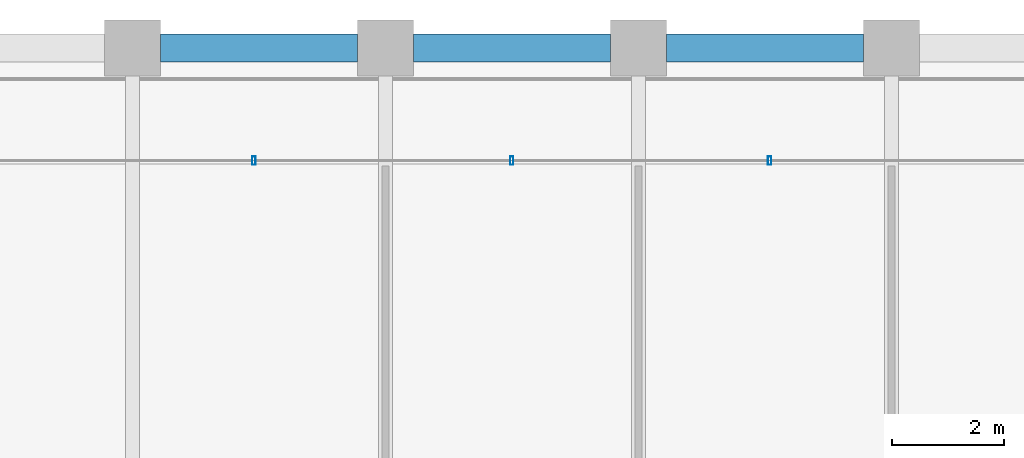
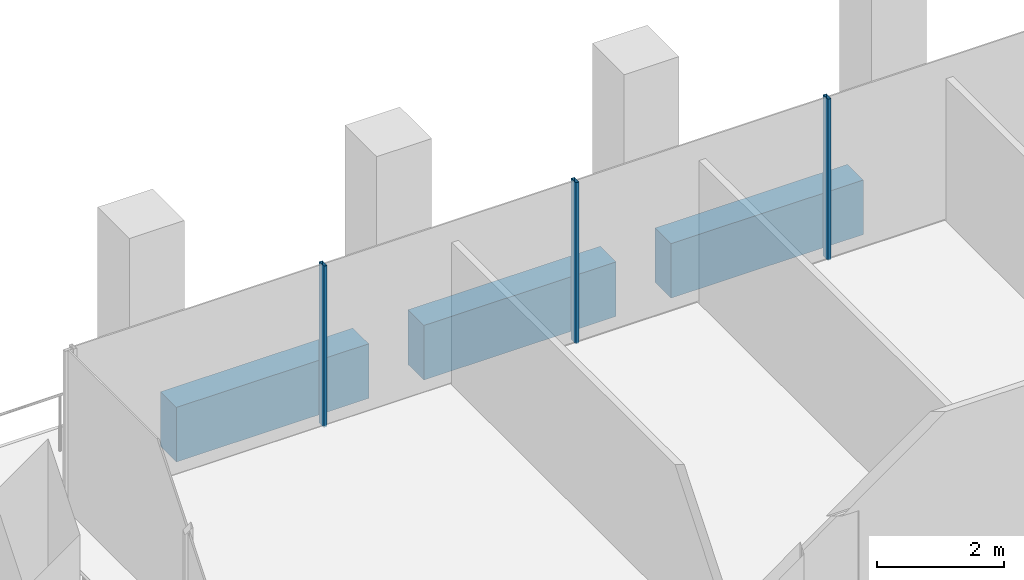
# One storey, part 23 of 46: 3 beams, 3 members, 1 element without a shape of its own.
"""IFC4 building model written with IfcOpenShell, lengths in metres."""

import ifcopenshell
import ifcopenshell.guid

model = None  # the IFC model being written
_history = None  # IfcOwnerHistory: only IFC2X3 demands one
_inside = {}  # id of a spatial element -> (the spatial element, [elements in it])
_under = {}  # id of a project, library or spatial element -> (it, [spatial elements below it])
_declared = {}  # id of a project -> (the project, [libraries it declares])
_typed = {}  # id of a type object -> (the type object, [elements of that type])
_made_of = {}  # id of a material, layer set ... -> (it, [elements and type objects made of it])


def new_model(schema):
    """Start an empty IFC model of exactly this schema.

    Asked for "IFC4X3", IfcOpenShell would pick the latest addendum, in which some entities
    have other attributes; the version numbers below select the first issue.
    IFC2X3 requires an IfcOwnerHistory on every rooted entity: one is made here for all.
    """
    global model, _history
    if schema == "IFC4X3":
        model = ifcopenshell.file(schema_version=(4, 3, 0, 0))
    else:
        model = ifcopenshell.file(schema=schema)
    _inside.clear()
    _under.clear()
    _declared.clear()
    _typed.clear()
    _made_of.clear()
    _history = None
    if model.schema == "IFC2X3":
        org = make("IfcOrganization", Name="unknown")
        user = make(
            "IfcPersonAndOrganization",
            ThePerson=make("IfcPerson", FamilyName="unknown"),
            TheOrganization=org,
        )
        app = make(
            "IfcApplication",
            ApplicationDeveloper=org,
            Version="unknown",
            ApplicationFullName="unknown",
            ApplicationIdentifier="unknown",
        )
        _history = make(
            "IfcOwnerHistory",
            OwningUser=user,
            OwningApplication=app,
            ChangeAction="ADDED",
            CreationDate=0,
        )
    return model


def make(cls, **values):
    """One entity of the class cls with the attributes given. An attribute that is None is left unset."""
    return model.create_entity(
        cls, **{name: value for name, value in values.items() if value is not None}
    )


def rooted(cls, **values):
    """An entity with a GlobalId (a new one), such as an element, a storey or a relation."""
    return make(cls, GlobalId=ifcopenshell.guid.new(), OwnerHistory=_history, **values)


def si_unit(unit_type, name, prefix=None):
    """IfcSIUnit, for example si_unit("LENGTHUNIT", "METRE", prefix="MILLI")."""
    return make("IfcSIUnit", UnitType=unit_type, Prefix=prefix, Name=name)


def assignment(units):
    """IfcUnitAssignment: the units of a project."""
    return None if units is None else make("IfcUnitAssignment", Units=units)


def point(xyz):
    """IfcCartesianPoint."""
    return None if xyz is None else make("IfcCartesianPoint", Coordinates=xyz)


def direction(xyz):
    """IfcDirection."""
    return None if xyz is None else make("IfcDirection", DirectionRatios=xyz)


def frame(location, z_axis=None, x_axis=None):
    """IfcAxis2Placement3D, a coordinate frame: its origin and axes. An axis left out is left unset."""
    return make(
        "IfcAxis2Placement3D",
        Location=point(location),
        Axis=direction(z_axis),
        RefDirection=direction(x_axis),
    )


def frame_2d(location, x_axis=None):
    """IfcAxis2Placement2D, a coordinate frame in the plane: its origin and x axis."""
    return make(
        "IfcAxis2Placement2D", Location=point(location), RefDirection=direction(x_axis)
    )


def origin():
    """The frame at (0, 0, 0) with its axes left unset."""
    return frame((0.0, 0.0, 0.0))


def origin_2d():
    """The frame at (0, 0) in the plane with its x axis left unset."""
    return frame_2d((0.0, 0.0))


def place(relative_to, where):
    """IfcLocalPlacement: puts the frame where relative to a parent placement (None: the world)."""
    return make(
        "IfcLocalPlacement", PlacementRelTo=relative_to, RelativePlacement=where
    )


def context(
    kind, dimensions, precision=None, world=None, true_north=None, identifier=None
):
    """IfcGeometricRepresentationContext, for example the 3D "Model" context."""
    return make(
        "IfcGeometricRepresentationContext",
        ContextIdentifier=identifier,
        ContextType=kind,
        CoordinateSpaceDimension=dimensions,
        Precision=precision,
        WorldCoordinateSystem=world,
        TrueNorth=true_north,
    )


def subcontext(parent, identifier, kind, view, scale=None):
    """IfcGeometricRepresentationSubContext, for example "Body" below "Model"."""
    return make(
        "IfcGeometricRepresentationSubContext",
        ContextIdentifier=identifier,
        ContextType=kind,
        ParentContext=parent,
        TargetScale=scale,
        TargetView=view,
    )


def project(units=None, contexts=None):
    """IfcProject with its units and contexts."""
    return rooted(
        "IfcProject",
        Name="project",
        RepresentationContexts=contexts,
        UnitsInContext=assignment(units),
    )


def spatial(cls, under=None, at=None, **own):
    """A site, building, storey or space (cls), placed at a placement, below another one or the project."""
    s = rooted(cls, ObjectPlacement=at, **own)
    if under is not None:
        _under.setdefault(under.id(), (under, []))[1].append(s)
    return s


def profile(cls, at=None, kind="AREA", **sizes):
    """A parametric profile (cls). Its sizes go by their IFC names, for example OverallWidth=200.0."""
    return make(cls, ProfileType=kind, Position=at, **sizes)


def rectangle(**sizes):
    """IfcRectangleProfileDef."""
    return profile("IfcRectangleProfileDef", **sizes)


def hollow_rectangle(**sizes):
    """IfcRectangleHollowProfileDef."""
    return profile("IfcRectangleHollowProfileDef", **sizes)


def extrude(swept, where, along, depth):
    """IfcExtrudedAreaSolid: the profile swept, set in the frame where, extruded along a direction by depth."""
    return make(
        "IfcExtrudedAreaSolid",
        SweptArea=swept,
        Position=where,
        ExtrudedDirection=direction(along),
        Depth=depth,
    )


def shape(context_of_items, identifier, shape_type, items):
    """IfcShapeRepresentation: the items that make up one representation, for example the "Body"."""
    return make(
        "IfcShapeRepresentation",
        ContextOfItems=context_of_items,
        RepresentationIdentifier=identifier,
        RepresentationType=shape_type,
        Items=items,
    )


def material(Name=None, Category=None):
    """IfcMaterial."""
    return make("IfcMaterial", Name=Name, Category=Category)


def material_profile(
    of_material, cross_section, Name=None, Category=None, Priority=None
):
    """IfcMaterialProfile: a cross section and its material."""
    return make(
        "IfcMaterialProfile",
        Name=Name,
        Material=of_material,
        Profile=cross_section,
        Priority=Priority,
        Category=Category,
    )


def profile_set(profiles, Name=None, composite=None):
    """IfcMaterialProfileSet."""
    return make(
        "IfcMaterialProfileSet",
        Name=Name,
        MaterialProfiles=profiles,
        CompositeProfile=composite,
    )


def made_of(thing, what):
    """Note that an element or type object is made of a material, layer set ...; save() writes the relation."""
    if what is not None:
        _made_of.setdefault(what.id(), (what, []))[1].append(thing)
    return thing


def type_object(cls, material=None, **own):
    """A type object (cls), such as IfcWallType, which elements share."""
    return made_of(rooted(cls, **own), material)


def element(
    cls,
    number,
    at=None,
    inside=None,
    cuts=None,
    type_object=None,
    material=None,
    context=None,
    identifier="Body",
    shape_type=None,
    held_by="IfcProductDefinitionShape",
    body=None,
    shapes=None,
    **own,
):
    """One element of the class cls, such as IfcWall. Its Tag is "e" and its number.

    at: its placement. inside: the storey or other place that contains it. cuts: it is an
    opening in that element (IfcRelVoidsElement). A single representation is given by context,
    identifier, shape_type and body (its items); several are given by shapes. held_by: the class
    of the entity that holds the representations. save() writes the other relations.
    """
    e = rooted(cls, Tag="e%d" % number, ObjectPlacement=at, **own)
    if body is not None:
        shapes = [shape(context, identifier, shape_type, body)]
    if shapes is not None:
        e.Representation = make(held_by, Representations=shapes)
    if inside is not None:
        _inside.setdefault(inside.id(), (inside, []))[1].append(e)
    if cuts is not None:
        rooted(
            "IfcRelVoidsElement", RelatingBuildingElement=cuts, RelatedOpeningElement=e
        )
    if type_object is not None:
        _typed.setdefault(type_object.id(), (type_object, []))[1].append(e)
    return made_of(e, material)


def aggregate(whole, parts):
    """IfcRelAggregates: a whole, such as a stair, and the parts it consists of."""
    return rooted("IfcRelAggregates", RelatingObject=whole, RelatedObjects=parts)


def save(model, path):
    """Write the relations noted so far, then the file.

    IfcRelAggregates (storeys below a building ...), IfcRelContainedInSpatialStructure (elements
    in a storey), IfcRelDefinesByType, IfcRelAssociatesMaterial and IfcRelDeclares: one each for
    every whole, place, type object, material and project.
    """
    for whole, parts in _under.values():
        aggregate(whole, parts)
    for where, things in _inside.values():
        rooted(
            "IfcRelContainedInSpatialStructure",
            RelatedElements=things,
            RelatingStructure=where,
        )
    for kind, things in _typed.values():
        rooted("IfcRelDefinesByType", RelatedObjects=things, RelatingType=kind)
    for what, things in _made_of.values():
        rooted("IfcRelAssociatesMaterial", RelatedObjects=things, RelatingMaterial=what)
    for by, libraries in _declared.values():
        rooted("IfcRelDeclares", RelatingContext=by, RelatedDefinitions=libraries)
    model.write(path)


model = new_model("IFC4")

# Units and contexts
model_context = context("Model", 3, precision=1e-05, world=origin(), true_north=direction((0.0, 1.0)))
body_context = subcontext(model_context, "Body", "Model", "MODEL_VIEW")
ifc_project = project(units=[si_unit("LENGTHUNIT", "METRE"), si_unit("AREAUNIT", "SQUARE_METRE"), si_unit("VOLUMEUNIT", "CUBIC_METRE"), si_unit("PLANEANGLEUNIT", "RADIAN"), si_unit("MASSUNIT", "GRAM", prefix="KILO")], contexts=[model_context])

# Site, building, storey
site_placement = place(None, origin())
site = spatial("IfcSite", under=ifc_project, at=site_placement, CompositionType="ELEMENT")
building_placement = place(site_placement, origin())
building = spatial("IfcBuilding", under=site, at=building_placement, Name="Altepetl Exchange Towers", CompositionType="ELEMENT")
storey_placement = place(building_placement, frame((0.0, 0.0, 131.60009765625)))
storey = spatial("IfcBuildingStorey", under=building, at=storey_placement, Name="L32", CompositionType="ELEMENT", Elevation=131.60009765625)

# Curtain wall, members
ifc_material_1 = material(Name="Aluminium 6063-T6 glazing", Category="aluminium")
curtain_wall_type = type_object("IfcCurtainWallType", Name="Loggia glazing system", PredefinedType="NOTDEFINED", material=ifc_material_1)
curtain_wall_placement = place(storey_placement, origin())
curtain_wall = element("IfcCurtainWall", 1, at=curtain_wall_placement, inside=storey, type_object=curtain_wall_type, Name="CW1 run", PredefinedType="NOTDEFINED")
ifc_material_2 = material(Name="Aluminium 6063-T6", Category="aluminium")
ifc_material_profile_1 = material_profile(ifc_material_2, hollow_rectangle(XDim=0.06005859375, YDim=0.14990234375, WallThickness=0.0029296875, at=origin_2d()), Name="Mullion 60x150 aluminium")
ifc_profile_set_1 = profile_set([ifc_material_profile_1], Name="Aluminium 6063-T6")
member_type = type_object("IfcMemberType", Name="Mullion 60x150 aluminium", PredefinedType="MULLION", material=ifc_profile_set_1)
member_1_placement = place(storey_placement, frame((56.330078125, 70.0, 0.0), z_axis=(0.0, 0.0, 1.0), x_axis=(-1.0, 0.0, 0.0)))
member_1 = element("IfcMember", 2, at=member_1_placement, type_object=member_type, Name="MU1 mullion", PredefinedType="MULLION", context=body_context, shape_type="SweptSolid", body=[
    extrude(hollow_rectangle(XDim=0.06005859375, YDim=0.14990234375, WallThickness=0.0029296875, at=origin_2d()), origin(), (0.0, 0.0, 1.0), 3.099853515625),
])
member_2_placement = place(storey_placement, frame((51.7451171875, 70.0, 0.0), z_axis=(0.0, 0.0, 1.0), x_axis=(-1.0, 0.0, 0.0)))
member_2 = element("IfcMember", 3, at=member_2_placement, type_object=member_type, Name="MU1 mullion", PredefinedType="MULLION", context=body_context, shape_type="SweptSolid", body=[
    extrude(hollow_rectangle(XDim=0.06005859375, YDim=0.14990234375, WallThickness=0.0029296875, at=origin_2d()), origin(), (0.0, 0.0, 1.0), 3.099853515625),
])
member_3_placement = place(storey_placement, frame((47.159912109375, 70.0, 0.0), z_axis=(0.0, 0.0, 1.0), x_axis=(-1.0, 0.0, 0.0)))
member_3 = element("IfcMember", 4, at=member_3_placement, type_object=member_type, Name="MU1 mullion", PredefinedType="MULLION", context=body_context, shape_type="SweptSolid", body=[
    extrude(hollow_rectangle(XDim=0.06005859375, YDim=0.14990234375, WallThickness=0.0029296875, at=origin_2d()), origin(), (0.0, 0.0, 1.0), 3.099853515625),
])
aggregate(curtain_wall, [member_1, member_2, member_3])

# Beams
ifc_material_3 = material(Name="Concrete C50/60 precast with cantera rosa facing", Category="concrete")
ifc_material_profile_2 = material_profile(ifc_material_3, rectangle(XDim=0.5, YDim=1.050048828125, at=origin_2d()), Name="500 x 1050")
ifc_profile_set_2 = profile_set([ifc_material_profile_2], Name="Concrete C50/60 precast with cantera rosa facing")
beam_type = type_object("IfcBeamType", Name="Spandrel beam 500x1050 cantera rosa", PredefinedType="SPANDREL", material=ifc_profile_set_2)
for number, where, z_axis, x_axis, name in (
    (5, (58.0, 72.0, -0.675048828125), (-1.0, 0.0, 0.0), (0.0, -1.0, 0.0), "sp:A:L32:026"),
    (6, (53.5, 72.0, -0.675048828125), (-1.0, 0.0, 0.0), (0.0, -1.0, 0.0), "sp:A:L32:027"),
    (7, (49.0, 72.0, -0.675048828125), (-1.0, 0.0, 0.0), (0.0, -1.0, 0.0), "sp:A:L32:028"),
):
    element("IfcBeam", number, at=place(storey_placement, frame(where, z_axis=z_axis, x_axis=x_axis)), inside=storey, type_object=beam_type, Name=name, PredefinedType="SPANDREL", context=body_context, shape_type="SweptSolid", body=[
        extrude(rectangle(XDim=0.5, YDim=1.050048828125, at=origin_2d()), origin(), (0.0, 0.0, 1.0), 3.5),
    ])

save(model, "model.ifc")
